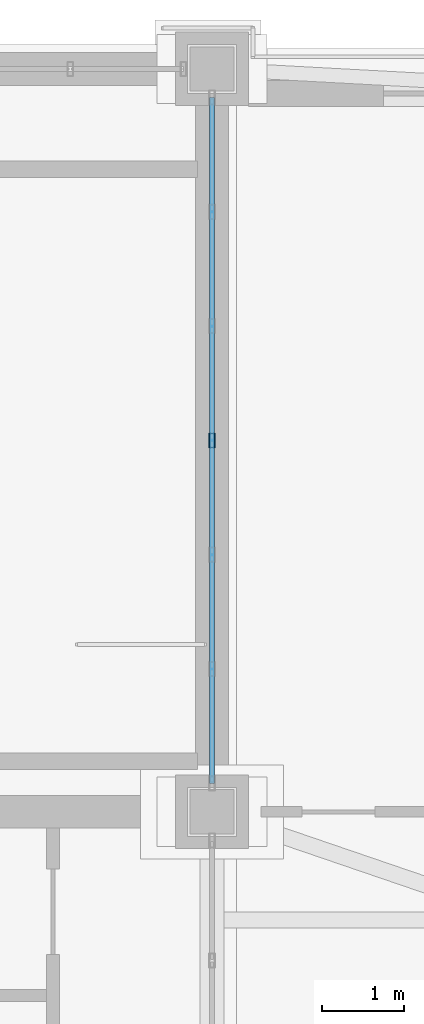
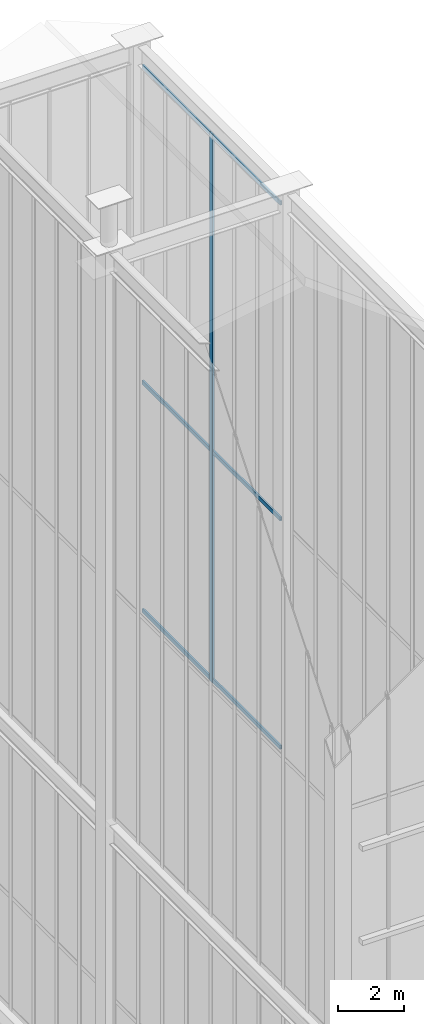
# One storey, part 100 of 135: 4 members, 1 element without a shape of its own.
"""IFC4 building model written with IfcOpenShell, lengths in metres."""

from ifc_helpers import new_model, si_unit, direction, frame, origin, origin_2d, place, context, subcontext, project, spatial, hollow_rectangle, extrude, source, transform, mapped, material, layer, layer_set, material_profile, profile_set, type_object, element, aggregate, save


model = new_model("IFC4")

# Units and contexts
model_context = context("Model", 3, precision=1e-05, world=origin(), true_north=direction((0.0, 1.0)))
body_context = subcontext(model_context, "Body", "Model", "MODEL_VIEW")
ifc_project = project(units=[si_unit("LENGTHUNIT", "METRE"), si_unit("AREAUNIT", "SQUARE_METRE"), si_unit("VOLUMEUNIT", "CUBIC_METRE"), si_unit("PLANEANGLEUNIT", "RADIAN"), si_unit("MASSUNIT", "GRAM", prefix="KILO")], contexts=[model_context])

# Site, building, storey
site_placement = place(None, origin())
site = spatial("IfcSite", under=ifc_project, at=site_placement, CompositionType="ELEMENT")
building_placement = place(site_placement, origin())
building = spatial("IfcBuilding", under=site, at=building_placement, Name="Giltprow Tower", CompositionType="ELEMENT")
storey_placement = place(building_placement, frame((0.0, 0.0, 352.699951171875)))
storey = spatial("IfcBuildingStorey", under=building, at=storey_placement, Name="L92", CompositionType="ELEMENT", Elevation=352.699951171875)

# Curtain wall, members
ifc_material = material(Name="Anodized bronze", Category="metal")
ifc_layer = layer(ifc_material, 0.179931640625, Name="Anodized bronze")
ifc_layer_set = layer_set([ifc_layer], Name="Anodized bronze")
curtain_wall_type = type_object("IfcCurtainWallType", Name="CW-CROWN-LANTERN", PredefinedType="NOTDEFINED", material=ifc_layer_set)
curtain_wall_placement = place(storey_placement, origin())
curtain_wall = element("IfcCurtainWall", 1, at=curtain_wall_placement, inside=storey, type_object=curtain_wall_type, Name="Crown East Upper Lantern Glazing 3", PredefinedType="NOTDEFINED")
ifc_material_profile_1 = material_profile(ifc_material, hollow_rectangle(XDim=0.06494140625, YDim=0.14990234375, WallThickness=0.006103515625, at=origin_2d()), Name="RHS 150x65x6")
ifc_profile_set_1 = profile_set([ifc_material_profile_1], Name="Anodized bronze")
member_type_1 = type_object("IfcMemberType", Name="CW-TRANSOM-150x65", PredefinedType="USERDEFINED", material=ifc_profile_set_1)
shared_shape_1 = source(origin(), body_context, "Body", "SweptSolid", [
    extrude(hollow_rectangle(XDim=0.06494140625, YDim=0.14990234375, WallThickness=0.006103515625, at=origin_2d()), origin(), (0.0, 0.0, 1.0), 8.39990234375),
])
member_1_placement = place(storey_placement, frame((50.550048828125, 37.800048828125, 17.340087890625), z_axis=(0.0, 1.0, 0.0), x_axis=(-1.0, 0.0, 0.0)))
member_1 = element("IfcMember", 2, at=member_1_placement, type_object=member_type_1, Name="Crown East Upper Lantern Glazing 3 Transom 1", ObjectType="TRANSOM", PredefinedType="USERDEFINED", context=body_context, shape_type="MappedRepresentation", body=[
    mapped(shared_shape_1, transform((0.0, 0.0, 0.0), x_axis=(1.0, 0.0, 0.0), y_axis=(0.0, 1.0, 0.0), z_axis=(0.0, 0.0, 1.0), scale=1.0)),
])
member_2_placement = place(storey_placement, frame((50.550048828125, 37.800048828125, 25.8330078125), z_axis=(0.0, 1.0, 0.0), x_axis=(-1.0, 0.0, 0.0)))
member_2 = element("IfcMember", 3, at=member_2_placement, type_object=member_type_1, Name="Crown East Upper Lantern Glazing 3 Transom 2", ObjectType="TRANSOM", PredefinedType="USERDEFINED", context=body_context, shape_type="MappedRepresentation", body=[
    mapped(shared_shape_1, transform((0.0, 0.0, 0.0), x_axis=(1.0, 0.0, 0.0), y_axis=(0.0, 1.0, 0.0), z_axis=(0.0, 0.0, 1.0), scale=1.0)),
])
member_3_placement = place(storey_placement, frame((50.550048828125, 37.800048828125, 37.575927734375), z_axis=(0.0, 1.0, 0.0), x_axis=(-1.0, 0.0, 0.0)))
member_3 = element("IfcMember", 4, at=member_3_placement, type_object=member_type_1, Name="Crown East Upper Lantern Glazing 3 Transom 3", ObjectType="TRANSOM", PredefinedType="USERDEFINED", context=body_context, shape_type="MappedRepresentation", body=[
    mapped(shared_shape_1, transform((0.0, 0.0, 0.0), x_axis=(1.0, 0.0, 0.0), y_axis=(0.0, 1.0, 0.0), z_axis=(0.0, 0.0, 1.0), scale=1.0)),
])
ifc_material_profile_2 = material_profile(ifc_material, hollow_rectangle(XDim=0.074951171875, YDim=0.179931640625, WallThickness=0.008056640625, at=origin_2d()), Name="RHS 180x75x8")
ifc_profile_set_2 = profile_set([ifc_material_profile_2], Name="Anodized bronze")
member_type_2 = type_object("IfcMemberType", Name="CW-MULLION-180x75", PredefinedType="MULLION", material=ifc_profile_set_2)
shared_shape_2 = source(origin(), body_context, "Body", "SweptSolid", [
    extrude(hollow_rectangle(XDim=0.074951171875, YDim=0.179931640625, WallThickness=0.008056640625, at=origin_2d()), origin(), (0.0, 0.0, 1.0), 20.406005859375),
])
member_4_placement = place(storey_placement, frame((50.550048828125, 42.0, 17.25), z_axis=(0.0, 0.0, 1.0), x_axis=(1.0, 0.0, 0.0)))
member_4 = element("IfcMember", 5, at=member_4_placement, type_object=member_type_2, Name="Crown East Upper Lantern Glazing 3 Mullion 4", PredefinedType="MULLION", context=body_context, shape_type="MappedRepresentation", body=[
    mapped(shared_shape_2, transform((0.0, 0.0, 0.0), x_axis=(1.0, 0.0, 0.0), y_axis=(0.0, 1.0, 0.0), z_axis=(0.0, 0.0, 1.0), scale=1.0)),
])
aggregate(curtain_wall, [member_4, member_1, member_2, member_3])

save(model, "model.ifc")
